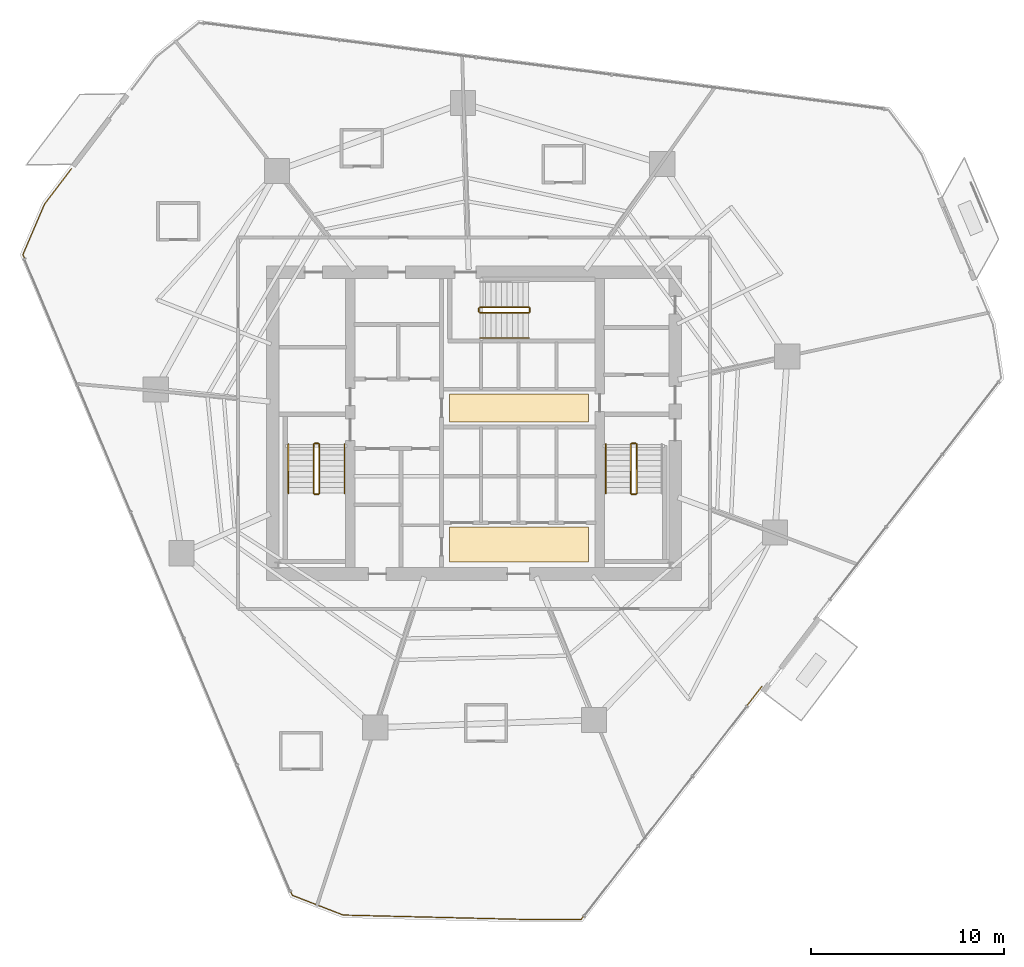
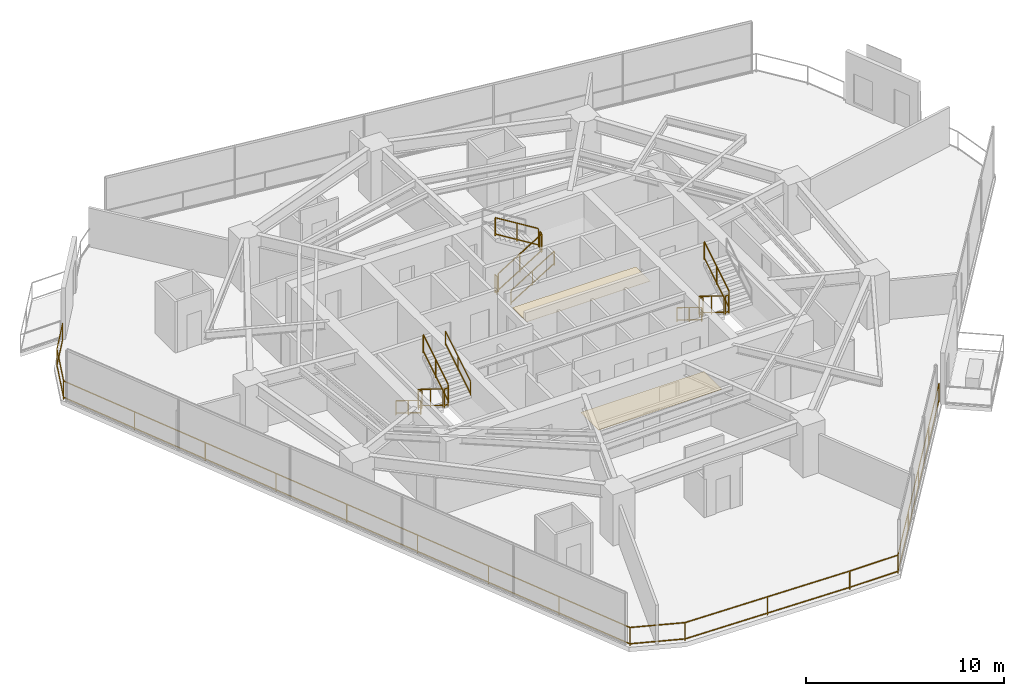
# One storey, part 29 of 30: 17 railings, 2 coverings.
"""IFC4 building model written with IfcOpenShell, lengths in metres."""

from ifc_helpers import new_model, si_unit, direction, frame, origin, origin_2d, place, context, subcontext, project, spatial, rectangle, extrude, material, layer, layer_set, type_object, element, save


model = new_model("IFC4")

# Units and contexts
model_context = context("Model", 3, precision=1e-05, world=origin(), true_north=direction((0.0, 1.0)))
body_context = subcontext(model_context, "Body", "Model", "MODEL_VIEW")
ifc_project = project(units=[si_unit("LENGTHUNIT", "METRE"), si_unit("AREAUNIT", "SQUARE_METRE"), si_unit("VOLUMEUNIT", "CUBIC_METRE"), si_unit("PLANEANGLEUNIT", "RADIAN"), si_unit("MASSUNIT", "GRAM", prefix="KILO")], contexts=[model_context])

# Site, building, storey
site_placement = place(None, origin())
site = spatial("IfcSite", under=ifc_project, at=site_placement, CompositionType="ELEMENT")
building_placement = place(site_placement, origin())
building = spatial("IfcBuilding", under=site, at=building_placement, Name="Qarnah Convention Tower", CompositionType="ELEMENT")
storey_placement = place(building_placement, frame((0.0, 0.0, 40.800048828125)))
storey = spatial("IfcBuildingStorey", under=building, at=storey_placement, Name="L09", CompositionType="ELEMENT", Elevation=40.800048828125)

# Coverings
ifc_material_1 = material(Name="Mineral fibre acoustic ceiling")
ifc_layer_1 = layer(ifc_material_1, 0.02001953125)
ifc_layer_set_1 = layer_set([ifc_layer_1], Name="Mineral fibre acoustic ceiling")
covering_type_1 = type_object("IfcCoveringType", Name="COV-CEIL-20", PredefinedType="CEILING", material=ifc_layer_set_1)
covering_1_placement = place(storey_placement, frame((39.52001953125, 27.179931640625, 2.2900390625), z_axis=(0.0, 0.0, 1.0), x_axis=(1.0, 0.0, 0.0)))
element("IfcCovering", 1, at=covering_1_placement, inside=storey, type_object=covering_type_1, Name="L09 lift lobby acoustic ceiling", PredefinedType="CEILING", context=body_context, shape_type="SweptSolid", body=[
    extrude(rectangle(XDim=7.199951171875, YDim=1.449951171875, at=origin_2d()), origin(), (0.0, 0.0, 1.0), 0.02001953125),
])
ifc_material_2 = material(Name="Porcelain stone floor tile", Category="masonry")
ifc_layer_2 = layer(ifc_material_2, 0.02001953125)
ifc_layer_set_2 = layer_set([ifc_layer_2], Name="Porcelain stone floor tile")
covering_type_2 = type_object("IfcCoveringType", Name="COV-FLOOR-20", PredefinedType="FLOORING", material=ifc_layer_set_2)
covering_2_placement = place(storey_placement, frame((39.52001953125, 20.1201171875, 0.0), z_axis=(0.0, 0.0, 1.0), x_axis=(1.0, 0.0, 0.0)))
element("IfcCovering", 2, at=covering_2_placement, inside=storey, type_object=covering_type_2, Name="L09 lift lobby porcelain stone flooring", PredefinedType="FLOORING", context=body_context, shape_type="SweptSolid", body=[
    extrude(rectangle(XDim=7.199951171875, YDim=1.800048828125, at=origin_2d()), origin(), (0.0, 0.0, 1.0), 0.02001953125),
])

# Railings
ifc_material_3 = material(Name="Black anodised aluminium", Category="aluminium")
railing_type_1 = type_object("IfcRailingType", Name="RL-EXT-GUARD-1150", PredefinedType="GUARDRAIL", material=ifc_material_3)
railing_1_placement = place(storey_placement, frame((52.080078125, 12.7939453125, 0.0)))
element("IfcRailing", 3, at=railing_1_placement, inside=storey, type_object=railing_type_1, Name="L09 slab-edge perimeter safety guard 03", PredefinedType="GUARDRAIL", context=body_context, shape_type="SweptSolid", body=[
    extrude(rectangle(XDim=0.048095703125, YDim=0.048095703125, at=origin_2d()), frame((0.0, 0.0, 1.1259765625), z_axis=(-0.613070636341, -0.790028097511, 0.0), x_axis=(0.790028097511, -0.613070636341, 0.0)), (0.0, 0.0, 1.0), 15.257568359375),
    extrude(rectangle(XDim=0.048095703125, YDim=0.048095703125, at=origin_2d()), frame((0.0, 0.0, 0.1201171875), z_axis=(-0.613070636341, -0.790028097511, 0.0), x_axis=(0.790028097511, -0.613070636341, 0.0)), (0.0, 0.0, 1.0), 15.257568359375),
    extrude(rectangle(XDim=0.048095703125, YDim=0.048095703125, at=origin_2d()), frame((-9.35400390625, -12.053955078125, 1.1259765625), z_axis=(-1.0, 0.0, 0.0), x_axis=(0.0, -1.0, 0.0)), (0.0, 0.0, 1.0), 2.816162109375),
    extrude(rectangle(XDim=0.048095703125, YDim=0.048095703125, at=origin_2d()), frame((-9.35400390625, -12.053955078125, 0.1201171875), z_axis=(-1.0, 0.0, 0.0), x_axis=(0.0, -1.0, 0.0)), (0.0, 0.0, 1.0), 2.816162109375),
    extrude(rectangle(XDim=0.048095703125, YDim=0.048095703125, at=origin_2d()), frame((-12.170166015625, -12.053955078125, 1.1259765625), z_axis=(-0.99971299861, 0.023956636056, 0.0), x_axis=(-0.023956636056, -0.99971299861, 0.0)), (0.0, 0.0, 1.0), 9.4775390625),
    extrude(rectangle(XDim=0.048095703125, YDim=0.048095703125, at=origin_2d()), frame((-12.170166015625, -12.053955078125, 0.1201171875), z_axis=(-0.99971299861, 0.023956636056, 0.0), x_axis=(-0.023956636056, -0.99971299861, 0.0)), (0.0, 0.0, 1.0), 9.4775390625),
    extrude(rectangle(XDim=0.048095703125, YDim=0.048095703125, at=origin_2d()), frame((-21.64501953125, -11.826904296875, 1.1259765625), z_axis=(-0.932359524858, 0.361532455536, 0.0), x_axis=(-0.361532455536, -0.932359524858, 0.0)), (0.0, 0.0, 1.0), 2.823974609375),
    extrude(rectangle(XDim=0.048095703125, YDim=0.048095703125, at=origin_2d()), frame((-21.64501953125, -11.826904296875, 0.1201171875), z_axis=(-0.932359524858, 0.361532455536, 0.0), x_axis=(-0.361532455536, -0.932359524858, 0.0)), (0.0, 0.0, 1.0), 2.823974609375),
    extrude(rectangle(XDim=0.048095703125, YDim=0.048095703125, at=origin_2d()), frame((-24.278076171875, -10.805908203125, 1.1259765625), z_axis=(-0.387533004858, 0.921855829371, 0.0), x_axis=(-0.921855829371, -0.387533004858, 0.0)), (0.0, 0.0, 1.0), 35.93505859375),
    extrude(rectangle(XDim=0.048095703125, YDim=0.048095703125, at=origin_2d()), frame((-24.278076171875, -10.805908203125, 0.1201171875), z_axis=(-0.387533004858, 0.921855829371, 0.0), x_axis=(-0.921855829371, -0.387533004858, 0.0)), (0.0, 0.0, 1.0), 35.93505859375),
    extrude(rectangle(XDim=0.048095703125, YDim=0.048095703125, at=origin_2d()), frame((-38.2041015625, 22.321044921875, 1.1259765625), z_axis=(0.394033737389, 0.919095976381, 0.0), x_axis=(-0.919095976381, 0.394033737389, 0.0)), (0.0, 0.0, 1.0), 2.832275390625),
    extrude(rectangle(XDim=0.048095703125, YDim=0.048095703125, at=origin_2d()), frame((-38.2041015625, 22.321044921875, 0.1201171875), z_axis=(0.394033737389, 0.919095976381, 0.0), x_axis=(-0.919095976381, 0.394033737389, 0.0)), (0.0, 0.0, 1.0), 2.832275390625),
    extrude(rectangle(XDim=0.048095703125, YDim=0.048095703125, at=origin_2d()), frame((-37.088134765625, 24.924072265625, 1.1259765625), z_axis=(0.604614372423, 0.796518336675, 0.0), x_axis=(-0.796518336675, 0.604614372423, 0.0)), (0.0, 0.0, 1.0), 2.297607421875),
    extrude(rectangle(XDim=0.048095703125, YDim=0.048095703125, at=origin_2d()), frame((-37.088134765625, 24.924072265625, 0.1201171875), z_axis=(0.604614372423, 0.796518336675, 0.0), x_axis=(-0.796518336675, 0.604614372423, 0.0)), (0.0, 0.0, 1.0), 2.297607421875),
    extrude(rectangle(XDim=0.0419921875, YDim=0.0419921875, at=origin_2d()), origin(), (0.0, 0.0, 1.0), 1.101806640625),
    extrude(rectangle(XDim=0.0419921875, YDim=0.0419921875, at=origin_2d()), frame((-2.33837890625, -3.013427734375, 0.0)), (0.0, 0.0, 1.0), 1.101806640625),
    extrude(rectangle(XDim=0.0419921875, YDim=0.0419921875, at=origin_2d()), frame((-4.677001953125, -6.02685546875, 0.0)), (0.0, 0.0, 1.0), 1.101806640625),
    extrude(rectangle(XDim=0.0419921875, YDim=0.0419921875, at=origin_2d()), frame((-7.015625, -9.04052734375, 0.0)), (0.0, 0.0, 1.0), 1.101806640625),
    extrude(rectangle(XDim=0.0419921875, YDim=0.0419921875, at=origin_2d()), frame((-9.35400390625, -12.053955078125, 0.0)), (0.0, 0.0, 1.0), 1.101806640625),
    extrude(rectangle(XDim=0.0419921875, YDim=0.0419921875, at=origin_2d()), frame((-12.170166015625, -12.053955078125, 0.0)), (0.0, 0.0, 1.0), 1.101806640625),
    extrude(rectangle(XDim=0.0419921875, YDim=0.0419921875, at=origin_2d()), frame((-16.90771484375, -11.9404296875, 0.0)), (0.0, 0.0, 1.0), 1.101806640625),
    extrude(rectangle(XDim=0.0419921875, YDim=0.0419921875, at=origin_2d()), frame((-21.64501953125, -11.826904296875, 0.0)), (0.0, 0.0, 1.0), 1.101806640625),
    extrude(rectangle(XDim=0.0419921875, YDim=0.0419921875, at=origin_2d()), frame((-24.278076171875, -10.805908203125, 0.0)), (0.0, 0.0, 1.0), 1.101806640625),
    extrude(rectangle(XDim=0.0419921875, YDim=0.0419921875, at=origin_2d()), frame((-26.018798828125, -6.6650390625, 0.0)), (0.0, 0.0, 1.0), 1.101806640625),
    extrude(rectangle(XDim=0.0419921875, YDim=0.0419921875, at=origin_2d()), frame((-27.759521484375, -2.524169921875, 0.0)), (0.0, 0.0, 1.0), 1.101806640625),
    extrude(rectangle(XDim=0.0419921875, YDim=0.0419921875, at=origin_2d()), frame((-29.500244140625, 1.61669921875, 0.0)), (0.0, 0.0, 1.0), 1.101806640625),
    extrude(rectangle(XDim=0.0419921875, YDim=0.0419921875, at=origin_2d()), frame((-31.2412109375, 5.757568359375, 0.0)), (0.0, 0.0, 1.0), 1.101806640625),
    extrude(rectangle(XDim=0.0419921875, YDim=0.0419921875, at=origin_2d()), frame((-32.98193359375, 9.8984375, 0.0)), (0.0, 0.0, 1.0), 1.101806640625),
    extrude(rectangle(XDim=0.0419921875, YDim=0.0419921875, at=origin_2d()), frame((-34.72265625, 14.039306640625, 0.0)), (0.0, 0.0, 1.0), 1.101806640625),
    extrude(rectangle(XDim=0.0419921875, YDim=0.0419921875, at=origin_2d()), frame((-36.46337890625, 18.18017578125, 0.0)), (0.0, 0.0, 1.0), 1.101806640625),
    extrude(rectangle(XDim=0.0419921875, YDim=0.0419921875, at=origin_2d()), frame((-38.2041015625, 22.321044921875, 0.0)), (0.0, 0.0, 1.0), 1.101806640625),
    extrude(rectangle(XDim=0.0419921875, YDim=0.0419921875, at=origin_2d()), frame((-37.088134765625, 24.924072265625, 0.0)), (0.0, 0.0, 1.0), 1.101806640625),
    extrude(rectangle(XDim=0.0419921875, YDim=0.0419921875, at=origin_2d()), frame((-35.698974609375, 26.754150390625, 0.0)), (0.0, 0.0, 1.0), 1.101806640625),
])
ifc_material_4 = material(Name="Structural steel S355JR", Category="steel")
railing_type_2 = type_object("IfcRailingType", Name="RL-STAIR-GUARD-1150", PredefinedType="GUARDRAIL", material=ifc_material_4)
railing_2_placement = place(storey_placement, frame((28.89990234375, 25.300048828125, 0.17236328125)))
element("IfcRailing", 4, at=railing_2_placement, inside=storey, type_object=railing_type_2, Name="L09 ST-1 stair guard 1", PredefinedType="GUARDRAIL", context=body_context, shape_type="SweptSolid", body=[
    extrude(rectangle(XDim=0.048095703125, YDim=0.048095703125, at=origin_2d()), frame((0.0, 0.0, 1.1259765625), z_axis=(0.0, -0.851400495292, 0.524516154772), x_axis=(1.0, 0.0, 0.0)), (0.0, 0.0, 1.0), 2.9599609375),
    extrude(rectangle(XDim=0.048095703125, YDim=0.048095703125, at=origin_2d()), frame((0.0, 0.0, 0.1201171875), z_axis=(0.0, -0.851400495292, 0.524516154772), x_axis=(1.0, 0.0, 0.0)), (0.0, 0.0, 1.0), 2.9599609375),
    extrude(rectangle(XDim=0.0419921875, YDim=0.0419921875, at=origin_2d()), origin(), (0.0, 0.0, 1.0), 1.101806640625),
    extrude(rectangle(XDim=0.0419921875, YDim=0.0419921875, at=origin_2d()), frame((0.0, -1.260009765625, 0.7763671875)), (0.0, 0.0, 1.0), 1.101806640625),
    extrude(rectangle(XDim=0.0419921875, YDim=0.0419921875, at=origin_2d()), frame((0.0, -2.52001953125, 1.552490234375)), (0.0, 0.0, 1.0), 1.101806640625),
])
railing_3_placement = place(storey_placement, frame((28.949951171875, 22.72998046875, 1.724853515625)))
element("IfcRailing", 5, at=railing_3_placement, inside=storey, type_object=railing_type_2, Name="L09 ST-1 stair guard 2", PredefinedType="GUARDRAIL", context=body_context, shape_type="SweptSolid", body=[
    extrude(rectangle(XDim=0.048095703125, YDim=0.048095703125, at=origin_2d()), frame((0.0, 0.0, 1.1259765625), z_axis=(1.0, 0.0, 0.0), x_axis=(0.0, 1.0, 0.0)), (0.0, 0.0, 1.0), 0.199951171875),
    extrude(rectangle(XDim=0.048095703125, YDim=0.048095703125, at=origin_2d()), frame((0.0, 0.0, 0.1201171875), z_axis=(1.0, 0.0, 0.0), x_axis=(0.0, 1.0, 0.0)), (0.0, 0.0, 1.0), 0.199951171875),
    extrude(rectangle(XDim=0.0419921875, YDim=0.0419921875, at=origin_2d()), origin(), (0.0, 0.0, 1.0), 1.101806640625),
    extrude(rectangle(XDim=0.0419921875, YDim=0.0419921875, at=origin_2d()), frame((0.199951171875, 0.0, 0.0)), (0.0, 0.0, 1.0), 1.101806640625),
])
railing_4_placement = place(storey_placement, frame((29.199951171875, 22.780029296875, 1.8974609375)))
element("IfcRailing", 6, at=railing_4_placement, inside=storey, type_object=railing_type_2, Name="L09 ST-1 stair guard 3", PredefinedType="GUARDRAIL", context=body_context, shape_type="SweptSolid", body=[
    extrude(rectangle(XDim=0.048095703125, YDim=0.048095703125, at=origin_2d()), frame((0.0, 0.0, 1.1259765625), z_axis=(0.0, 0.851400495292, 0.524516154772), x_axis=(-1.0, 0.0, 0.0)), (0.0, 0.0, 1.0), 2.9599609375),
    extrude(rectangle(XDim=0.048095703125, YDim=0.048095703125, at=origin_2d()), frame((0.0, 0.0, 0.1201171875), z_axis=(0.0, 0.851400495292, 0.524516154772), x_axis=(-1.0, 0.0, 0.0)), (0.0, 0.0, 1.0), 2.9599609375),
    extrude(rectangle(XDim=0.0419921875, YDim=0.0419921875, at=origin_2d()), origin(), (0.0, 0.0, 1.0), 1.101806640625),
    extrude(rectangle(XDim=0.0419921875, YDim=0.0419921875, at=origin_2d()), frame((0.0, 1.260009765625, 0.7763671875)), (0.0, 0.0, 1.0), 1.101806640625),
    extrude(rectangle(XDim=0.0419921875, YDim=0.0419921875, at=origin_2d()), frame((0.0, 2.52001953125, 1.552490234375)), (0.0, 0.0, 1.0), 1.101806640625),
])
railing_5_placement = place(storey_placement, frame((28.949951171875, 25.35009765625, 0.0)))
element("IfcRailing", 7, at=railing_5_placement, inside=storey, type_object=railing_type_2, Name="L09 ST-1 stair guard 4", PredefinedType="GUARDRAIL", context=body_context, shape_type="SweptSolid", body=[
    extrude(rectangle(XDim=0.048095703125, YDim=0.048095703125, at=origin_2d()), frame((0.0, 0.0, 1.1259765625), z_axis=(1.0, 0.0, 0.0), x_axis=(0.0, 1.0, 0.0)), (0.0, 0.0, 1.0), 0.199951171875),
    extrude(rectangle(XDim=0.048095703125, YDim=0.048095703125, at=origin_2d()), frame((0.0, 0.0, 0.1201171875), z_axis=(1.0, 0.0, 0.0), x_axis=(0.0, 1.0, 0.0)), (0.0, 0.0, 1.0), 0.199951171875),
    extrude(rectangle(XDim=0.0419921875, YDim=0.0419921875, at=origin_2d()), origin(), (0.0, 0.0, 1.0), 1.101806640625),
    extrude(rectangle(XDim=0.0419921875, YDim=0.0419921875, at=origin_2d()), frame((0.199951171875, 0.0, 0.0)), (0.0, 0.0, 1.0), 1.101806640625),
])
railing_6_placement = place(storey_placement, frame((45.300048828125, 25.300048828125, 0.17236328125)))
element("IfcRailing", 8, at=railing_6_placement, inside=storey, type_object=railing_type_2, Name="L09 ST-2 stair guard 1", PredefinedType="GUARDRAIL", context=body_context, shape_type="SweptSolid", body=[
    extrude(rectangle(XDim=0.048095703125, YDim=0.048095703125, at=origin_2d()), frame((0.0, 0.0, 1.1259765625), z_axis=(0.0, -0.851400495292, 0.524516154772), x_axis=(1.0, 0.0, 0.0)), (0.0, 0.0, 1.0), 2.9599609375),
    extrude(rectangle(XDim=0.048095703125, YDim=0.048095703125, at=origin_2d()), frame((0.0, 0.0, 0.1201171875), z_axis=(0.0, -0.851400495292, 0.524516154772), x_axis=(1.0, 0.0, 0.0)), (0.0, 0.0, 1.0), 2.9599609375),
    extrude(rectangle(XDim=0.0419921875, YDim=0.0419921875, at=origin_2d()), origin(), (0.0, 0.0, 1.0), 1.101806640625),
    extrude(rectangle(XDim=0.0419921875, YDim=0.0419921875, at=origin_2d()), frame((0.0, -1.260009765625, 0.7763671875)), (0.0, 0.0, 1.0), 1.101806640625),
    extrude(rectangle(XDim=0.0419921875, YDim=0.0419921875, at=origin_2d()), frame((0.0, -2.52001953125, 1.552490234375)), (0.0, 0.0, 1.0), 1.101806640625),
])
railing_7_placement = place(storey_placement, frame((45.35009765625, 22.72998046875, 1.724853515625)))
element("IfcRailing", 9, at=railing_7_placement, inside=storey, type_object=railing_type_2, Name="L09 ST-2 stair guard 2", PredefinedType="GUARDRAIL", context=body_context, shape_type="SweptSolid", body=[
    extrude(rectangle(XDim=0.048095703125, YDim=0.048095703125, at=origin_2d()), frame((0.0, 0.0, 1.1259765625), z_axis=(1.0, 0.0, 0.0), x_axis=(0.0, 1.0, 0.0)), (0.0, 0.0, 1.0), 0.199951171875),
    extrude(rectangle(XDim=0.048095703125, YDim=0.048095703125, at=origin_2d()), frame((0.0, 0.0, 0.1201171875), z_axis=(1.0, 0.0, 0.0), x_axis=(0.0, 1.0, 0.0)), (0.0, 0.0, 1.0), 0.199951171875),
    extrude(rectangle(XDim=0.0419921875, YDim=0.0419921875, at=origin_2d()), origin(), (0.0, 0.0, 1.0), 1.101806640625),
    extrude(rectangle(XDim=0.0419921875, YDim=0.0419921875, at=origin_2d()), frame((0.199951171875, 0.0, 0.0)), (0.0, 0.0, 1.0), 1.101806640625),
])
railing_8_placement = place(storey_placement, frame((45.60009765625, 22.780029296875, 1.8974609375)))
element("IfcRailing", 10, at=railing_8_placement, inside=storey, type_object=railing_type_2, Name="L09 ST-2 stair guard 3", PredefinedType="GUARDRAIL", context=body_context, shape_type="SweptSolid", body=[
    extrude(rectangle(XDim=0.048095703125, YDim=0.048095703125, at=origin_2d()), frame((0.0, 0.0, 1.1259765625), z_axis=(0.0, 0.851400495292, 0.524516154772), x_axis=(-1.0, 0.0, 0.0)), (0.0, 0.0, 1.0), 2.9599609375),
    extrude(rectangle(XDim=0.048095703125, YDim=0.048095703125, at=origin_2d()), frame((0.0, 0.0, 0.1201171875), z_axis=(0.0, 0.851400495292, 0.524516154772), x_axis=(-1.0, 0.0, 0.0)), (0.0, 0.0, 1.0), 2.9599609375),
    extrude(rectangle(XDim=0.0419921875, YDim=0.0419921875, at=origin_2d()), origin(), (0.0, 0.0, 1.0), 1.101806640625),
    extrude(rectangle(XDim=0.0419921875, YDim=0.0419921875, at=origin_2d()), frame((0.0, 1.260009765625, 0.7763671875)), (0.0, 0.0, 1.0), 1.101806640625),
    extrude(rectangle(XDim=0.0419921875, YDim=0.0419921875, at=origin_2d()), frame((0.0, 2.52001953125, 1.552490234375)), (0.0, 0.0, 1.0), 1.101806640625),
])
railing_9_placement = place(storey_placement, frame((45.35009765625, 25.35009765625, 0.0)))
element("IfcRailing", 11, at=railing_9_placement, inside=storey, type_object=railing_type_2, Name="L09 ST-2 stair guard 4", PredefinedType="GUARDRAIL", context=body_context, shape_type="SweptSolid", body=[
    extrude(rectangle(XDim=0.048095703125, YDim=0.048095703125, at=origin_2d()), frame((0.0, 0.0, 1.1259765625), z_axis=(1.0, 0.0, 0.0), x_axis=(0.0, 1.0, 0.0)), (0.0, 0.0, 1.0), 0.199951171875),
    extrude(rectangle(XDim=0.048095703125, YDim=0.048095703125, at=origin_2d()), frame((0.0, 0.0, 0.1201171875), z_axis=(1.0, 0.0, 0.0), x_axis=(0.0, 1.0, 0.0)), (0.0, 0.0, 1.0), 0.199951171875),
    extrude(rectangle(XDim=0.0419921875, YDim=0.0419921875, at=origin_2d()), origin(), (0.0, 0.0, 1.0), 1.101806640625),
    extrude(rectangle(XDim=0.0419921875, YDim=0.0419921875, at=origin_2d()), frame((0.199951171875, 0.0, 0.0)), (0.0, 0.0, 1.0), 1.101806640625),
])
railing_10_placement = place(storey_placement, frame((37.5, 32.10009765625, 0.17236328125)))
element("IfcRailing", 12, at=railing_10_placement, inside=storey, type_object=railing_type_2, Name="L09 ST-3 stair guard 1", PredefinedType="GUARDRAIL", context=body_context, shape_type="SweptSolid", body=[
    extrude(rectangle(XDim=0.048095703125, YDim=0.048095703125, at=origin_2d()), frame((0.0, 0.0, 1.1259765625), z_axis=(0.851400495292, 0.0, 0.524516154772), x_axis=(0.0, 1.0, 0.0)), (0.0, 0.0, 1.0), 2.9599609375),
    extrude(rectangle(XDim=0.048095703125, YDim=0.048095703125, at=origin_2d()), frame((0.0, 0.0, 0.1201171875), z_axis=(0.851400495292, 0.0, 0.524516154772), x_axis=(0.0, 1.0, 0.0)), (0.0, 0.0, 1.0), 2.9599609375),
    extrude(rectangle(XDim=0.0419921875, YDim=0.0419921875, at=origin_2d()), origin(), (0.0, 0.0, 1.0), 1.101806640625),
    extrude(rectangle(XDim=0.0419921875, YDim=0.0419921875, at=origin_2d()), frame((1.260009765625, 0.0, 0.7763671875)), (0.0, 0.0, 1.0), 1.101806640625),
    extrude(rectangle(XDim=0.0419921875, YDim=0.0419921875, at=origin_2d()), frame((2.52001953125, 0.0, 1.552490234375)), (0.0, 0.0, 1.0), 1.101806640625),
])
railing_11_placement = place(storey_placement, frame((40.070068359375, 32.14990234375, 1.724853515625)))
element("IfcRailing", 13, at=railing_11_placement, inside=storey, type_object=railing_type_2, Name="L09 ST-3 stair guard 2", PredefinedType="GUARDRAIL", context=body_context, shape_type="SweptSolid", body=[
    extrude(rectangle(XDim=0.048095703125, YDim=0.048095703125, at=origin_2d()), frame((0.0, 0.0, 1.1259765625), z_axis=(0.0, 1.0, 0.0), x_axis=(-1.0, 0.0, 0.0)), (0.0, 0.0, 1.0), 0.2001953125),
    extrude(rectangle(XDim=0.048095703125, YDim=0.048095703125, at=origin_2d()), frame((0.0, 0.0, 0.1201171875), z_axis=(0.0, 1.0, 0.0), x_axis=(-1.0, 0.0, 0.0)), (0.0, 0.0, 1.0), 0.2001953125),
    extrude(rectangle(XDim=0.0419921875, YDim=0.0419921875, at=origin_2d()), origin(), (0.0, 0.0, 1.0), 1.101806640625),
    extrude(rectangle(XDim=0.0419921875, YDim=0.0419921875, at=origin_2d()), frame((0.0, 0.2001953125, 0.0)), (0.0, 0.0, 1.0), 1.101806640625),
])
railing_12_placement = place(storey_placement, frame((40.02001953125, 32.39990234375, 1.8974609375)))
element("IfcRailing", 14, at=railing_12_placement, inside=storey, type_object=railing_type_2, Name="L09 ST-3 stair guard 3", PredefinedType="GUARDRAIL", context=body_context, shape_type="SweptSolid", body=[
    extrude(rectangle(XDim=0.048095703125, YDim=0.048095703125, at=origin_2d()), frame((0.0, 0.0, 1.1259765625), z_axis=(-0.851400495292, 0.0, 0.524516154772), x_axis=(0.0, -1.0, 0.0)), (0.0, 0.0, 1.0), 2.9599609375),
    extrude(rectangle(XDim=0.048095703125, YDim=0.048095703125, at=origin_2d()), frame((0.0, 0.0, 0.1201171875), z_axis=(-0.851400495292, 0.0, 0.524516154772), x_axis=(0.0, -1.0, 0.0)), (0.0, 0.0, 1.0), 2.9599609375),
    extrude(rectangle(XDim=0.0419921875, YDim=0.0419921875, at=origin_2d()), origin(), (0.0, 0.0, 1.0), 1.101806640625),
    extrude(rectangle(XDim=0.0419921875, YDim=0.0419921875, at=origin_2d()), frame((-1.260009765625, 0.0, 0.7763671875)), (0.0, 0.0, 1.0), 1.101806640625),
    extrude(rectangle(XDim=0.0419921875, YDim=0.0419921875, at=origin_2d()), frame((-2.52001953125, 0.0, 1.552490234375)), (0.0, 0.0, 1.0), 1.101806640625),
])
railing_13_placement = place(storey_placement, frame((37.449951171875, 32.14990234375, 0.0)))
element("IfcRailing", 15, at=railing_13_placement, inside=storey, type_object=railing_type_2, Name="L09 ST-3 stair guard 4", PredefinedType="GUARDRAIL", context=body_context, shape_type="SweptSolid", body=[
    extrude(rectangle(XDim=0.048095703125, YDim=0.048095703125, at=origin_2d()), frame((0.0, 0.0, 1.1259765625), z_axis=(0.0, 1.0, 0.0), x_axis=(-1.0, 0.0, 0.0)), (0.0, 0.0, 1.0), 0.2001953125),
    extrude(rectangle(XDim=0.048095703125, YDim=0.048095703125, at=origin_2d()), frame((0.0, 0.0, 0.1201171875), z_axis=(0.0, 1.0, 0.0), x_axis=(-1.0, 0.0, 0.0)), (0.0, 0.0, 1.0), 0.2001953125),
    extrude(rectangle(XDim=0.0419921875, YDim=0.0419921875, at=origin_2d()), origin(), (0.0, 0.0, 1.0), 1.101806640625),
    extrude(rectangle(XDim=0.0419921875, YDim=0.0419921875, at=origin_2d()), frame((0.0, 0.2001953125, 0.0)), (0.0, 0.0, 1.0), 1.101806640625),
])
railing_type_3 = type_object("IfcRailingType", Name="RL-STAIR-HAND-900", PredefinedType="HANDRAIL", material=ifc_material_4)
railing_14_placement = place(storey_placement, frame((27.60009765625, 25.300048828125, 0.17236328125)))
element("IfcRailing", 16, at=railing_14_placement, inside=storey, type_object=railing_type_3, Name="L09 ST-1 stair handrail 1", PredefinedType="HANDRAIL", context=body_context, shape_type="SweptSolid", body=[
    extrude(rectangle(XDim=0.048095703125, YDim=0.048095703125, at=origin_2d()), frame((0.0, 0.0, 0.8759765625), z_axis=(0.0, -0.851400495292, 0.524516154772), x_axis=(1.0, 0.0, 0.0)), (0.0, 0.0, 1.0), 2.9599609375),
    extrude(rectangle(XDim=0.048095703125, YDim=0.048095703125, at=origin_2d()), frame((0.0, 0.0, 0.1201171875), z_axis=(0.0, -0.851400495292, 0.524516154772), x_axis=(1.0, 0.0, 0.0)), (0.0, 0.0, 1.0), 2.9599609375),
    extrude(rectangle(XDim=0.0419921875, YDim=0.0419921875, at=origin_2d()), origin(), (0.0, 0.0, 1.0), 0.851806640625),
    extrude(rectangle(XDim=0.0419921875, YDim=0.0419921875, at=origin_2d()), frame((0.0, -1.260009765625, 0.7763671875)), (0.0, 0.0, 1.0), 0.851806640625),
    extrude(rectangle(XDim=0.0419921875, YDim=0.0419921875, at=origin_2d()), frame((0.0, -2.52001953125, 1.552490234375)), (0.0, 0.0, 1.0), 0.851806640625),
])
railing_15_placement = place(storey_placement, frame((30.5, 22.780029296875, 1.8974609375)))
element("IfcRailing", 17, at=railing_15_placement, inside=storey, type_object=railing_type_3, Name="L09 ST-1 stair handrail 2", PredefinedType="HANDRAIL", context=body_context, shape_type="SweptSolid", body=[
    extrude(rectangle(XDim=0.048095703125, YDim=0.048095703125, at=origin_2d()), frame((0.0, 0.0, 0.8759765625), z_axis=(0.0, 0.851400495292, 0.524516154772), x_axis=(-1.0, 0.0, 0.0)), (0.0, 0.0, 1.0), 2.9599609375),
    extrude(rectangle(XDim=0.048095703125, YDim=0.048095703125, at=origin_2d()), frame((0.0, 0.0, 0.1201171875), z_axis=(0.0, 0.851400495292, 0.524516154772), x_axis=(-1.0, 0.0, 0.0)), (0.0, 0.0, 1.0), 2.9599609375),
    extrude(rectangle(XDim=0.0419921875, YDim=0.0419921875, at=origin_2d()), origin(), (0.0, 0.0, 1.0), 0.851806640625),
    extrude(rectangle(XDim=0.0419921875, YDim=0.0419921875, at=origin_2d()), frame((0.0, 1.260009765625, 0.7763671875)), (0.0, 0.0, 1.0), 0.851806640625),
    extrude(rectangle(XDim=0.0419921875, YDim=0.0419921875, at=origin_2d()), frame((0.0, 2.52001953125, 1.552490234375)), (0.0, 0.0, 1.0), 0.851806640625),
])
railing_16_placement = place(storey_placement, frame((44.0, 25.300048828125, 0.17236328125)))
element("IfcRailing", 18, at=railing_16_placement, inside=storey, type_object=railing_type_3, Name="L09 ST-2 stair handrail 1", PredefinedType="HANDRAIL", context=body_context, shape_type="SweptSolid", body=[
    extrude(rectangle(XDim=0.048095703125, YDim=0.048095703125, at=origin_2d()), frame((0.0, 0.0, 0.8759765625), z_axis=(0.0, -0.851400495292, 0.524516154772), x_axis=(1.0, 0.0, 0.0)), (0.0, 0.0, 1.0), 2.9599609375),
    extrude(rectangle(XDim=0.048095703125, YDim=0.048095703125, at=origin_2d()), frame((0.0, 0.0, 0.1201171875), z_axis=(0.0, -0.851400495292, 0.524516154772), x_axis=(1.0, 0.0, 0.0)), (0.0, 0.0, 1.0), 2.9599609375),
    extrude(rectangle(XDim=0.0419921875, YDim=0.0419921875, at=origin_2d()), origin(), (0.0, 0.0, 1.0), 0.851806640625),
    extrude(rectangle(XDim=0.0419921875, YDim=0.0419921875, at=origin_2d()), frame((0.0, -1.260009765625, 0.7763671875)), (0.0, 0.0, 1.0), 0.851806640625),
    extrude(rectangle(XDim=0.0419921875, YDim=0.0419921875, at=origin_2d()), frame((0.0, -2.52001953125, 1.552490234375)), (0.0, 0.0, 1.0), 0.851806640625),
])
railing_17_placement = place(storey_placement, frame((37.5, 30.800048828125, 0.17236328125)))
element("IfcRailing", 19, at=railing_17_placement, inside=storey, type_object=railing_type_3, Name="L09 ST-3 stair handrail 1", PredefinedType="HANDRAIL", context=body_context, shape_type="SweptSolid", body=[
    extrude(rectangle(XDim=0.048095703125, YDim=0.048095703125, at=origin_2d()), frame((0.0, 0.0, 0.8759765625), z_axis=(0.851400495292, 0.0, 0.524516154772), x_axis=(0.0, 1.0, 0.0)), (0.0, 0.0, 1.0), 2.9599609375),
    extrude(rectangle(XDim=0.048095703125, YDim=0.048095703125, at=origin_2d()), frame((0.0, 0.0, 0.1201171875), z_axis=(0.851400495292, 0.0, 0.524516154772), x_axis=(0.0, 1.0, 0.0)), (0.0, 0.0, 1.0), 2.9599609375),
    extrude(rectangle(XDim=0.0419921875, YDim=0.0419921875, at=origin_2d()), origin(), (0.0, 0.0, 1.0), 0.851806640625),
    extrude(rectangle(XDim=0.0419921875, YDim=0.0419921875, at=origin_2d()), frame((1.260009765625, 0.0, 0.7763671875)), (0.0, 0.0, 1.0), 0.851806640625),
    extrude(rectangle(XDim=0.0419921875, YDim=0.0419921875, at=origin_2d()), frame((2.52001953125, 0.0, 1.552490234375)), (0.0, 0.0, 1.0), 0.851806640625),
])

save(model, "model.ifc")
